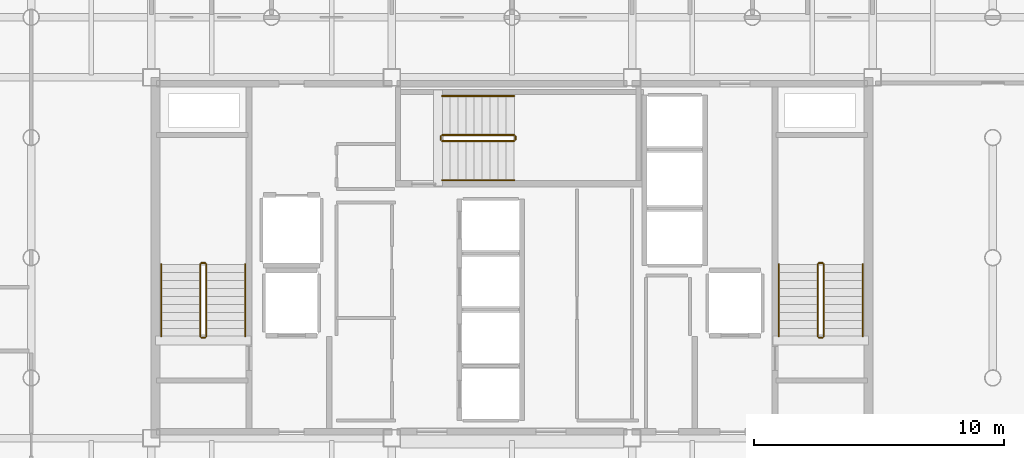
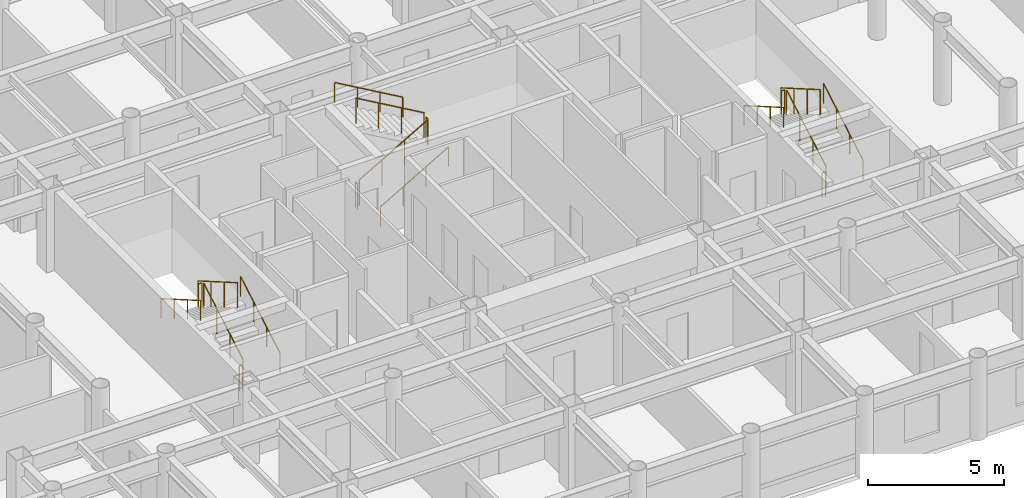
# One storey, part 20 of 20: 18 railings.
"""IFC4 building model written with IfcOpenShell, lengths in metres."""

from ifc_helpers import new_model, si_unit, direction, frame, origin, origin_2d, place, context, subcontext, project, spatial, circle, extrude, material, layer, layer_set, type_object, element, save


model = new_model("IFC4")

# Units and contexts
model_context = context("Model", 3, precision=1e-05, world=origin(), true_north=direction((0.0, 1.0)))
body_context = subcontext(model_context, "Body", "Model", "MODEL_VIEW")
ifc_project = project(units=[si_unit("LENGTHUNIT", "METRE"), si_unit("AREAUNIT", "SQUARE_METRE"), si_unit("VOLUMEUNIT", "CUBIC_METRE"), si_unit("PLANEANGLEUNIT", "RADIAN"), si_unit("MASSUNIT", "GRAM", prefix="KILO")], contexts=[model_context])

# Site, building, storey
site_placement = place(None, origin())
site = spatial("IfcSite", under=ifc_project, at=site_placement, CompositionType="ELEMENT")
building_placement = place(site_placement, origin())
building = spatial("IfcBuilding", under=site, at=building_placement, Name="Kallvorn Hotel Tower", CompositionType="ELEMENT")
storey_placement = place(building_placement, frame((0.0, 0.0, 135.89990234375)))
storey = spatial("IfcBuildingStorey", under=building, at=storey_placement, Name="L33", CompositionType="ELEMENT", Elevation=135.89990234375)

# Railings
ifc_material_1 = material(Name="Brushed stainless-steel tubular railing", Category="steel")
ifc_layer_1 = layer(ifc_material_1, 0.050048828125)
ifc_layer_set_1 = layer_set([ifc_layer_1], Name="RL_STAIR_GUARD")
railing_type_1 = type_object("IfcRailingType", Name="RL_STAIR_GUARD", PredefinedType="GUARDRAIL", material=ifc_layer_set_1)
railing_1_placement = place(storey_placement, frame((-12.2099609375, -3.139892578125, 0.18505859375)))
element("IfcRailing", 1, at=railing_1_placement, inside=storey, type_object=railing_type_1, Name="L33 ST1 stair guard 1", PredefinedType="GUARDRAIL", context=body_context, shape_type="SweptSolid", body=[
    extrude(circle(Radius=0.02392578125, at=origin_2d()), frame((0.0, 0.0, 1.1259765625), z_axis=(0.0, 0.865720918037, 0.500527014328), x_axis=(-1.0, 0.0, 0.0)), (0.0, 0.0, 1.0), 3.32666015625),
    extrude(circle(Radius=0.02099609375, at=origin_2d()), origin(), (0.0, 0.0, 1.0), 1.101806640625),
    extrude(circle(Radius=0.02099609375, at=origin_2d()), frame((0.0, 0.9599609375, 0.554931640625)), (0.0, 0.0, 1.0), 1.101806640625),
    extrude(circle(Radius=0.02099609375, at=origin_2d()), frame((0.0, 1.919921875, 1.110107421875)), (0.0, 0.0, 1.0), 1.101806640625),
    extrude(circle(Radius=0.02099609375, at=origin_2d()), frame((0.0, 2.8798828125, 1.6650390625)), (0.0, 0.0, 1.0), 1.101806640625),
])
railing_2_placement = place(storey_placement, frame((-12.260009765625, -0.2099609375, 1.85009765625)))
element("IfcRailing", 2, at=railing_2_placement, inside=storey, type_object=railing_type_1, Name="L33 ST1 stair guard 2", PredefinedType="GUARDRAIL", context=body_context, shape_type="SweptSolid", body=[
    extrude(circle(Radius=0.02392578125, at=origin_2d()), frame((0.0, 0.0, 1.1259765625), z_axis=(-1.0, 0.0, 0.0), x_axis=(0.0, -1.0, 0.0)), (0.0, 0.0, 1.0), 0.139892578125),
    extrude(circle(Radius=0.02099609375, at=origin_2d()), origin(), (0.0, 0.0, 1.0), 1.101806640625),
    extrude(circle(Radius=0.02099609375, at=origin_2d()), frame((-0.139892578125, 0.0, 0.0)), (0.0, 0.0, 1.0), 1.101806640625),
])
railing_3_placement = place(storey_placement, frame((-12.449951171875, -0.260009765625, 2.03515625)))
element("IfcRailing", 3, at=railing_3_placement, inside=storey, type_object=railing_type_1, Name="L33 ST1 stair guard 3", PredefinedType="GUARDRAIL", context=body_context, shape_type="SweptSolid", body=[
    extrude(circle(Radius=0.02392578125, at=origin_2d()), frame((0.0, 0.0, 1.1259765625), z_axis=(0.0, -0.865720918037, 0.500527014328), x_axis=(1.0, 0.0, 0.0)), (0.0, 0.0, 1.0), 3.32666015625),
    extrude(circle(Radius=0.02099609375, at=origin_2d()), origin(), (0.0, 0.0, 1.0), 1.101806640625),
    extrude(circle(Radius=0.02099609375, at=origin_2d()), frame((0.0, -0.9599609375, 0.554931640625)), (0.0, 0.0, 1.0), 1.101806640625),
    extrude(circle(Radius=0.02099609375, at=origin_2d()), frame((0.0, -1.919921875, 1.110107421875)), (0.0, 0.0, 1.0), 1.101806640625),
    extrude(circle(Radius=0.02099609375, at=origin_2d()), frame((0.0, -2.8798828125, 1.6650390625)), (0.0, 0.0, 1.0), 1.101806640625),
])
railing_4_placement = place(storey_placement, frame((-12.260009765625, -3.18994140625, 0.0)))
element("IfcRailing", 4, at=railing_4_placement, inside=storey, type_object=railing_type_1, Name="L33 ST1 stair guard 4", PredefinedType="GUARDRAIL", context=body_context, shape_type="SweptSolid", body=[
    extrude(circle(Radius=0.02392578125, at=origin_2d()), frame((0.0, 0.0, 1.1259765625), z_axis=(-1.0, 0.0, 0.0), x_axis=(0.0, -1.0, 0.0)), (0.0, 0.0, 1.0), 0.139892578125),
    extrude(circle(Radius=0.02099609375, at=origin_2d()), origin(), (0.0, 0.0, 1.0), 1.101806640625),
    extrude(circle(Radius=0.02099609375, at=origin_2d()), frame((-0.139892578125, 0.0, 0.0)), (0.0, 0.0, 1.0), 1.101806640625),
])
railing_5_placement = place(storey_placement, frame((12.449951171875, -3.139892578125, 0.18505859375)))
element("IfcRailing", 5, at=railing_5_placement, inside=storey, type_object=railing_type_1, Name="L33 ST2 stair guard 1", PredefinedType="GUARDRAIL", context=body_context, shape_type="SweptSolid", body=[
    extrude(circle(Radius=0.02392578125, at=origin_2d()), frame((0.0, 0.0, 1.1259765625), z_axis=(0.0, 0.865720918037, 0.500527014328), x_axis=(-1.0, 0.0, 0.0)), (0.0, 0.0, 1.0), 3.32666015625),
    extrude(circle(Radius=0.02099609375, at=origin_2d()), origin(), (0.0, 0.0, 1.0), 1.101806640625),
    extrude(circle(Radius=0.02099609375, at=origin_2d()), frame((0.0, 0.9599609375, 0.554931640625)), (0.0, 0.0, 1.0), 1.101806640625),
    extrude(circle(Radius=0.02099609375, at=origin_2d()), frame((0.0, 1.919921875, 1.110107421875)), (0.0, 0.0, 1.0), 1.101806640625),
    extrude(circle(Radius=0.02099609375, at=origin_2d()), frame((0.0, 2.8798828125, 1.6650390625)), (0.0, 0.0, 1.0), 1.101806640625),
])
railing_6_placement = place(storey_placement, frame((12.39990234375, -0.2099609375, 1.85009765625)))
element("IfcRailing", 6, at=railing_6_placement, inside=storey, type_object=railing_type_1, Name="L33 ST2 stair guard 2", PredefinedType="GUARDRAIL", context=body_context, shape_type="SweptSolid", body=[
    extrude(circle(Radius=0.02392578125, at=origin_2d()), frame((0.0, 0.0, 1.1259765625), z_axis=(-1.0, 0.0, 0.0), x_axis=(0.0, -1.0, 0.0)), (0.0, 0.0, 1.0), 0.139892578125),
    extrude(circle(Radius=0.02099609375, at=origin_2d()), origin(), (0.0, 0.0, 1.0), 1.101806640625),
    extrude(circle(Radius=0.02099609375, at=origin_2d()), frame((-0.139892578125, 0.0, 0.0)), (0.0, 0.0, 1.0), 1.101806640625),
])
railing_7_placement = place(storey_placement, frame((12.2099609375, -0.260009765625, 2.03515625)))
element("IfcRailing", 7, at=railing_7_placement, inside=storey, type_object=railing_type_1, Name="L33 ST2 stair guard 3", PredefinedType="GUARDRAIL", context=body_context, shape_type="SweptSolid", body=[
    extrude(circle(Radius=0.02392578125, at=origin_2d()), frame((0.0, 0.0, 1.1259765625), z_axis=(0.0, -0.865720918037, 0.500527014328), x_axis=(1.0, 0.0, 0.0)), (0.0, 0.0, 1.0), 3.32666015625),
    extrude(circle(Radius=0.02099609375, at=origin_2d()), origin(), (0.0, 0.0, 1.0), 1.101806640625),
    extrude(circle(Radius=0.02099609375, at=origin_2d()), frame((0.0, -0.9599609375, 0.554931640625)), (0.0, 0.0, 1.0), 1.101806640625),
    extrude(circle(Radius=0.02099609375, at=origin_2d()), frame((0.0, -1.919921875, 1.110107421875)), (0.0, 0.0, 1.0), 1.101806640625),
    extrude(circle(Radius=0.02099609375, at=origin_2d()), frame((0.0, -2.8798828125, 1.6650390625)), (0.0, 0.0, 1.0), 1.101806640625),
])
railing_8_placement = place(storey_placement, frame((12.39990234375, -3.18994140625, 0.0)))
element("IfcRailing", 8, at=railing_8_placement, inside=storey, type_object=railing_type_1, Name="L33 ST2 stair guard 4", PredefinedType="GUARDRAIL", context=body_context, shape_type="SweptSolid", body=[
    extrude(circle(Radius=0.02392578125, at=origin_2d()), frame((0.0, 0.0, 1.1259765625), z_axis=(-1.0, 0.0, 0.0), x_axis=(0.0, -1.0, 0.0)), (0.0, 0.0, 1.0), 0.139892578125),
    extrude(circle(Radius=0.02099609375, at=origin_2d()), origin(), (0.0, 0.0, 1.0), 1.101806640625),
    extrude(circle(Radius=0.02099609375, at=origin_2d()), frame((-0.139892578125, 0.0, 0.0)), (0.0, 0.0, 1.0), 1.101806640625),
])
railing_9_placement = place(storey_placement, frame((-2.7900390625, 4.659912109375, 0.18505859375)))
element("IfcRailing", 9, at=railing_9_placement, inside=storey, type_object=railing_type_1, Name="L33 ST3 stair guard 1", PredefinedType="GUARDRAIL", context=body_context, shape_type="SweptSolid", body=[
    extrude(circle(Radius=0.02392578125, at=origin_2d()), frame((0.0, 0.0, 1.1259765625), z_axis=(0.865739302748, 0.0, 0.50049521444), x_axis=(0.0, 1.0, 0.0)), (0.0, 0.0, 1.0), 3.326904296875),
    extrude(circle(Radius=0.02099609375, at=origin_2d()), origin(), (0.0, 0.0, 1.0), 1.101806640625),
    extrude(circle(Radius=0.02099609375, at=origin_2d()), frame((0.9599609375, 0.0, 0.554931640625)), (0.0, 0.0, 1.0), 1.101806640625),
    extrude(circle(Radius=0.02099609375, at=origin_2d()), frame((1.920166015625, 0.0, 1.110107421875)), (0.0, 0.0, 1.0), 1.101806640625),
    extrude(circle(Radius=0.02099609375, at=origin_2d()), frame((2.880126953125, 0.0, 1.6650390625)), (0.0, 0.0, 1.0), 1.101806640625),
])
railing_10_placement = place(storey_placement, frame((0.139892578125, 4.7099609375, 1.85009765625)))
element("IfcRailing", 10, at=railing_10_placement, inside=storey, type_object=railing_type_1, Name="L33 ST3 stair guard 2", PredefinedType="GUARDRAIL", context=body_context, shape_type="SweptSolid", body=[
    extrude(circle(Radius=0.02392578125, at=origin_2d()), frame((0.0, 0.0, 1.1259765625), z_axis=(0.0, 1.0, 0.0), x_axis=(-1.0, 0.0, 0.0)), (0.0, 0.0, 1.0), 0.14013671875),
    extrude(circle(Radius=0.02099609375, at=origin_2d()), origin(), (0.0, 0.0, 1.0), 1.101806640625),
    extrude(circle(Radius=0.02099609375, at=origin_2d()), frame((0.0, 0.14013671875, 0.0)), (0.0, 0.0, 1.0), 1.101806640625),
])
railing_11_placement = place(storey_placement, frame((0.090087890625, 4.89990234375, 2.03515625)))
element("IfcRailing", 11, at=railing_11_placement, inside=storey, type_object=railing_type_1, Name="L33 ST3 stair guard 3", PredefinedType="GUARDRAIL", context=body_context, shape_type="SweptSolid", body=[
    extrude(circle(Radius=0.02392578125, at=origin_2d()), frame((0.0, 0.0, 1.1259765625), z_axis=(-0.865739302748, 0.0, 0.50049521444), x_axis=(0.0, -1.0, 0.0)), (0.0, 0.0, 1.0), 3.326904296875),
    extrude(circle(Radius=0.02099609375, at=origin_2d()), origin(), (0.0, 0.0, 1.0), 1.101806640625),
    extrude(circle(Radius=0.02099609375, at=origin_2d()), frame((-0.9599609375, 0.0, 0.554931640625)), (0.0, 0.0, 1.0), 1.101806640625),
    extrude(circle(Radius=0.02099609375, at=origin_2d()), frame((-1.920166015625, 0.0, 1.110107421875)), (0.0, 0.0, 1.0), 1.101806640625),
    extrude(circle(Radius=0.02099609375, at=origin_2d()), frame((-2.880126953125, 0.0, 1.6650390625)), (0.0, 0.0, 1.0), 1.101806640625),
])
railing_12_placement = place(storey_placement, frame((-2.840087890625, 4.7099609375, 0.0)))
element("IfcRailing", 12, at=railing_12_placement, inside=storey, type_object=railing_type_1, Name="L33 ST3 stair guard 4", PredefinedType="GUARDRAIL", context=body_context, shape_type="SweptSolid", body=[
    extrude(circle(Radius=0.02392578125, at=origin_2d()), frame((0.0, 0.0, 1.1259765625), z_axis=(0.0, 1.0, 0.0), x_axis=(-1.0, 0.0, 0.0)), (0.0, 0.0, 1.0), 0.14013671875),
    extrude(circle(Radius=0.02099609375, at=origin_2d()), origin(), (0.0, 0.0, 1.0), 1.101806640625),
    extrude(circle(Radius=0.02099609375, at=origin_2d()), frame((0.0, 0.14013671875, 0.0)), (0.0, 0.0, 1.0), 1.101806640625),
])
ifc_material_2 = material(Name="Brushed stainless-steel tubular railing", Category="steel")
ifc_layer_2 = layer(ifc_material_2, 0.050048828125)
ifc_layer_set_2 = layer_set([ifc_layer_2], Name="RL_STAIR_HAND")
railing_type_2 = type_object("IfcRailingType", Name="RL_STAIR_HAND", PredefinedType="HANDRAIL", material=ifc_layer_set_2)
railing_13_placement = place(storey_placement, frame((-10.64990234375, -3.139892578125, 0.18505859375)))
element("IfcRailing", 13, at=railing_13_placement, inside=storey, type_object=railing_type_2, Name="L33 ST1 stair handrail 1", PredefinedType="HANDRAIL", context=body_context, shape_type="SweptSolid", body=[
    extrude(circle(Radius=0.02392578125, at=origin_2d()), frame((0.0, 0.0, 0.8759765625), z_axis=(0.0, 0.865720918037, 0.500527014328), x_axis=(-1.0, 0.0, 0.0)), (0.0, 0.0, 1.0), 3.32666015625),
    extrude(circle(Radius=0.02099609375, at=origin_2d()), origin(), (0.0, 0.0, 1.0), 0.851806640625),
    extrude(circle(Radius=0.02099609375, at=origin_2d()), frame((0.0, 0.9599609375, 0.554931640625)), (0.0, 0.0, 1.0), 0.851806640625),
    extrude(circle(Radius=0.02099609375, at=origin_2d()), frame((0.0, 1.919921875, 1.110107421875)), (0.0, 0.0, 1.0), 0.851806640625),
    extrude(circle(Radius=0.02099609375, at=origin_2d()), frame((0.0, 2.8798828125, 1.6650390625)), (0.0, 0.0, 1.0), 0.851806640625),
])
railing_14_placement = place(storey_placement, frame((-14.010009765625, -0.260009765625, 2.03515625)))
element("IfcRailing", 14, at=railing_14_placement, inside=storey, type_object=railing_type_2, Name="L33 ST1 stair handrail 2", PredefinedType="HANDRAIL", context=body_context, shape_type="SweptSolid", body=[
    extrude(circle(Radius=0.02392578125, at=origin_2d()), frame((0.0, 0.0, 0.8759765625), z_axis=(0.0, -0.865720918037, 0.500527014328), x_axis=(1.0, 0.0, 0.0)), (0.0, 0.0, 1.0), 3.32666015625),
    extrude(circle(Radius=0.02099609375, at=origin_2d()), origin(), (0.0, 0.0, 1.0), 0.851806640625),
    extrude(circle(Radius=0.02099609375, at=origin_2d()), frame((0.0, -0.9599609375, 0.554931640625)), (0.0, 0.0, 1.0), 0.851806640625),
    extrude(circle(Radius=0.02099609375, at=origin_2d()), frame((0.0, -1.919921875, 1.110107421875)), (0.0, 0.0, 1.0), 0.851806640625),
    extrude(circle(Radius=0.02099609375, at=origin_2d()), frame((0.0, -2.8798828125, 1.6650390625)), (0.0, 0.0, 1.0), 0.851806640625),
])
railing_15_placement = place(storey_placement, frame((14.010009765625, -3.139892578125, 0.18505859375)))
element("IfcRailing", 15, at=railing_15_placement, inside=storey, type_object=railing_type_2, Name="L33 ST2 stair handrail 1", PredefinedType="HANDRAIL", context=body_context, shape_type="SweptSolid", body=[
    extrude(circle(Radius=0.02392578125, at=origin_2d()), frame((0.0, 0.0, 0.8759765625), z_axis=(0.0, 0.865720918037, 0.500527014328), x_axis=(-1.0, 0.0, 0.0)), (0.0, 0.0, 1.0), 3.32666015625),
    extrude(circle(Radius=0.02099609375, at=origin_2d()), origin(), (0.0, 0.0, 1.0), 0.851806640625),
    extrude(circle(Radius=0.02099609375, at=origin_2d()), frame((0.0, 0.9599609375, 0.554931640625)), (0.0, 0.0, 1.0), 0.851806640625),
    extrude(circle(Radius=0.02099609375, at=origin_2d()), frame((0.0, 1.919921875, 1.110107421875)), (0.0, 0.0, 1.0), 0.851806640625),
    extrude(circle(Radius=0.02099609375, at=origin_2d()), frame((0.0, 2.8798828125, 1.6650390625)), (0.0, 0.0, 1.0), 0.851806640625),
])
railing_16_placement = place(storey_placement, frame((10.64990234375, -0.260009765625, 2.03515625)))
element("IfcRailing", 16, at=railing_16_placement, inside=storey, type_object=railing_type_2, Name="L33 ST2 stair handrail 2", PredefinedType="HANDRAIL", context=body_context, shape_type="SweptSolid", body=[
    extrude(circle(Radius=0.02392578125, at=origin_2d()), frame((0.0, 0.0, 0.8759765625), z_axis=(0.0, -0.865720918037, 0.500527014328), x_axis=(1.0, 0.0, 0.0)), (0.0, 0.0, 1.0), 3.32666015625),
    extrude(circle(Radius=0.02099609375, at=origin_2d()), origin(), (0.0, 0.0, 1.0), 0.851806640625),
    extrude(circle(Radius=0.02099609375, at=origin_2d()), frame((0.0, -0.9599609375, 0.554931640625)), (0.0, 0.0, 1.0), 0.851806640625),
    extrude(circle(Radius=0.02099609375, at=origin_2d()), frame((0.0, -1.919921875, 1.110107421875)), (0.0, 0.0, 1.0), 0.851806640625),
    extrude(circle(Radius=0.02099609375, at=origin_2d()), frame((0.0, -2.8798828125, 1.6650390625)), (0.0, 0.0, 1.0), 0.851806640625),
])
railing_17_placement = place(storey_placement, frame((-2.7900390625, 3.10009765625, 0.18505859375)))
element("IfcRailing", 17, at=railing_17_placement, inside=storey, type_object=railing_type_2, Name="L33 ST3 stair handrail 1", PredefinedType="HANDRAIL", context=body_context, shape_type="SweptSolid", body=[
    extrude(circle(Radius=0.02392578125, at=origin_2d()), frame((0.0, 0.0, 0.8759765625), z_axis=(0.865739302748, 0.0, 0.50049521444), x_axis=(0.0, 1.0, 0.0)), (0.0, 0.0, 1.0), 3.326904296875),
    extrude(circle(Radius=0.02099609375, at=origin_2d()), origin(), (0.0, 0.0, 1.0), 0.851806640625),
    extrude(circle(Radius=0.02099609375, at=origin_2d()), frame((0.9599609375, 0.0, 0.554931640625)), (0.0, 0.0, 1.0), 0.851806640625),
    extrude(circle(Radius=0.02099609375, at=origin_2d()), frame((1.920166015625, 0.0, 1.110107421875)), (0.0, 0.0, 1.0), 0.851806640625),
    extrude(circle(Radius=0.02099609375, at=origin_2d()), frame((2.880126953125, 0.0, 1.6650390625)), (0.0, 0.0, 1.0), 0.851806640625),
])
railing_18_placement = place(storey_placement, frame((0.090087890625, 6.4599609375, 2.03515625)))
element("IfcRailing", 18, at=railing_18_placement, inside=storey, type_object=railing_type_2, Name="L33 ST3 stair handrail 2", PredefinedType="HANDRAIL", context=body_context, shape_type="SweptSolid", body=[
    extrude(circle(Radius=0.02392578125, at=origin_2d()), frame((0.0, 0.0, 0.8759765625), z_axis=(-0.865739302748, 0.0, 0.50049521444), x_axis=(0.0, -1.0, 0.0)), (0.0, 0.0, 1.0), 3.326904296875),
    extrude(circle(Radius=0.02099609375, at=origin_2d()), origin(), (0.0, 0.0, 1.0), 0.851806640625),
    extrude(circle(Radius=0.02099609375, at=origin_2d()), frame((-0.9599609375, 0.0, 0.554931640625)), (0.0, 0.0, 1.0), 0.851806640625),
    extrude(circle(Radius=0.02099609375, at=origin_2d()), frame((-1.920166015625, 0.0, 1.110107421875)), (0.0, 0.0, 1.0), 0.851806640625),
    extrude(circle(Radius=0.02099609375, at=origin_2d()), frame((-2.880126953125, 0.0, 1.6650390625)), (0.0, 0.0, 1.0), 0.851806640625),
])

save(model, "model.ifc")
